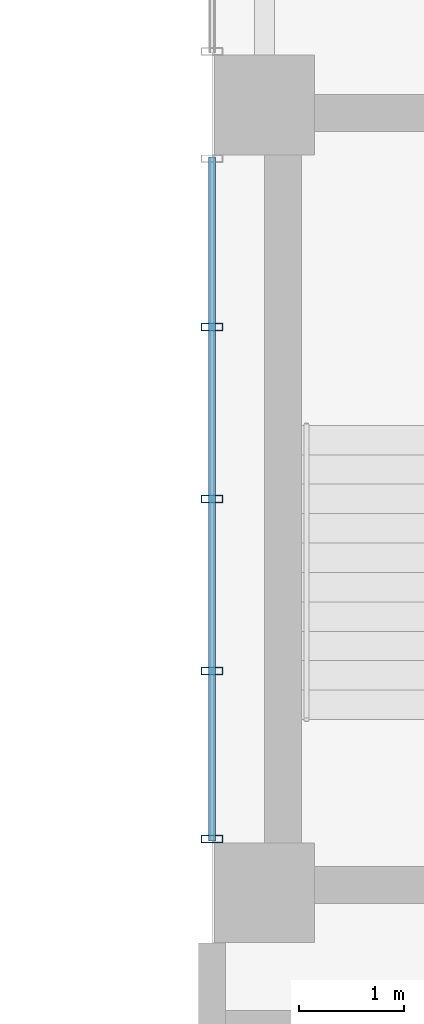
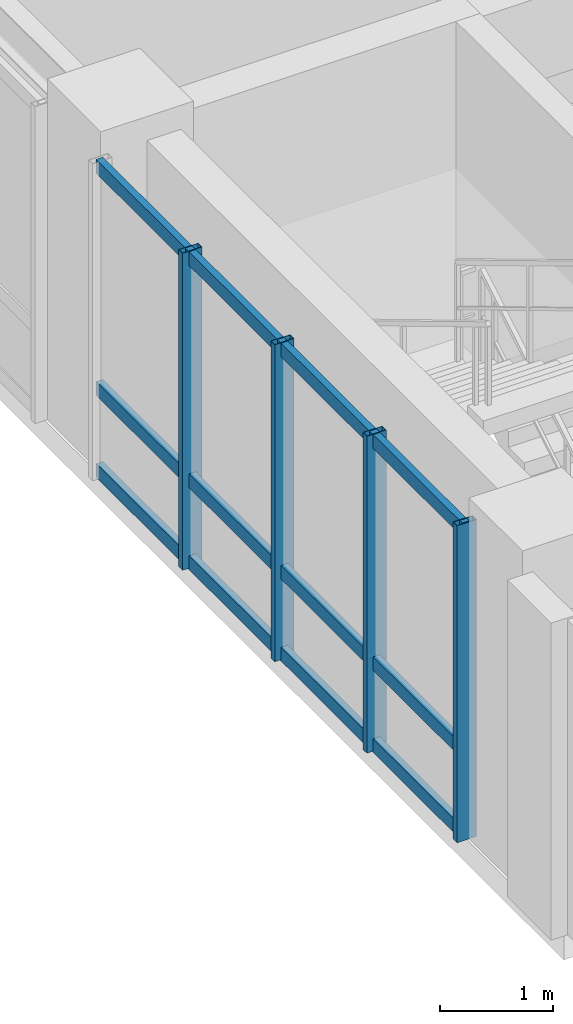
# One storey, part 4 of 24: 7 members, 1 element without a shape of its own.
"""IFC4 building model written with IfcOpenShell, lengths in metres."""

import ifcopenshell
import ifcopenshell.guid

model = None  # the IFC model being written
_history = None  # IfcOwnerHistory: only IFC2X3 demands one
_inside = {}  # id of a spatial element -> (the spatial element, [elements in it])
_under = {}  # id of a project, library or spatial element -> (it, [spatial elements below it])
_declared = {}  # id of a project -> (the project, [libraries it declares])
_typed = {}  # id of a type object -> (the type object, [elements of that type])
_made_of = {}  # id of a material, layer set ... -> (it, [elements and type objects made of it])


def new_model(schema):
    """Start an empty IFC model of exactly this schema.

    Asked for "IFC4X3", IfcOpenShell would pick the latest addendum, in which some entities
    have other attributes; the version numbers below select the first issue.
    IFC2X3 requires an IfcOwnerHistory on every rooted entity: one is made here for all.
    """
    global model, _history
    if schema == "IFC4X3":
        model = ifcopenshell.file(schema_version=(4, 3, 0, 0))
    else:
        model = ifcopenshell.file(schema=schema)
    _inside.clear()
    _under.clear()
    _declared.clear()
    _typed.clear()
    _made_of.clear()
    _history = None
    if model.schema == "IFC2X3":
        org = make("IfcOrganization", Name="unknown")
        user = make(
            "IfcPersonAndOrganization",
            ThePerson=make("IfcPerson", FamilyName="unknown"),
            TheOrganization=org,
        )
        app = make(
            "IfcApplication",
            ApplicationDeveloper=org,
            Version="unknown",
            ApplicationFullName="unknown",
            ApplicationIdentifier="unknown",
        )
        _history = make(
            "IfcOwnerHistory",
            OwningUser=user,
            OwningApplication=app,
            ChangeAction="ADDED",
            CreationDate=0,
        )
    return model


def make(cls, **values):
    """One entity of the class cls with the attributes given. An attribute that is None is left unset."""
    return model.create_entity(
        cls, **{name: value for name, value in values.items() if value is not None}
    )


def rooted(cls, **values):
    """An entity with a GlobalId (a new one), such as an element, a storey or a relation."""
    return make(cls, GlobalId=ifcopenshell.guid.new(), OwnerHistory=_history, **values)


def si_unit(unit_type, name, prefix=None):
    """IfcSIUnit, for example si_unit("LENGTHUNIT", "METRE", prefix="MILLI")."""
    return make("IfcSIUnit", UnitType=unit_type, Prefix=prefix, Name=name)


def assignment(units):
    """IfcUnitAssignment: the units of a project."""
    return None if units is None else make("IfcUnitAssignment", Units=units)


def point(xyz):
    """IfcCartesianPoint."""
    return None if xyz is None else make("IfcCartesianPoint", Coordinates=xyz)


def direction(xyz):
    """IfcDirection."""
    return None if xyz is None else make("IfcDirection", DirectionRatios=xyz)


def frame(location, z_axis=None, x_axis=None):
    """IfcAxis2Placement3D, a coordinate frame: its origin and axes. An axis left out is left unset."""
    return make(
        "IfcAxis2Placement3D",
        Location=point(location),
        Axis=direction(z_axis),
        RefDirection=direction(x_axis),
    )


def frame_2d(location, x_axis=None):
    """IfcAxis2Placement2D, a coordinate frame in the plane: its origin and x axis."""
    return make(
        "IfcAxis2Placement2D", Location=point(location), RefDirection=direction(x_axis)
    )


def origin():
    """The frame at (0, 0, 0) with its axes left unset."""
    return frame((0.0, 0.0, 0.0))


def origin_2d():
    """The frame at (0, 0) in the plane with its x axis left unset."""
    return frame_2d((0.0, 0.0))


def place(relative_to, where):
    """IfcLocalPlacement: puts the frame where relative to a parent placement (None: the world)."""
    return make(
        "IfcLocalPlacement", PlacementRelTo=relative_to, RelativePlacement=where
    )


def context(
    kind, dimensions, precision=None, world=None, true_north=None, identifier=None
):
    """IfcGeometricRepresentationContext, for example the 3D "Model" context."""
    return make(
        "IfcGeometricRepresentationContext",
        ContextIdentifier=identifier,
        ContextType=kind,
        CoordinateSpaceDimension=dimensions,
        Precision=precision,
        WorldCoordinateSystem=world,
        TrueNorth=true_north,
    )


def subcontext(parent, identifier, kind, view, scale=None):
    """IfcGeometricRepresentationSubContext, for example "Body" below "Model"."""
    return make(
        "IfcGeometricRepresentationSubContext",
        ContextIdentifier=identifier,
        ContextType=kind,
        ParentContext=parent,
        TargetScale=scale,
        TargetView=view,
    )


def project(units=None, contexts=None):
    """IfcProject with its units and contexts."""
    return rooted(
        "IfcProject",
        Name="project",
        RepresentationContexts=contexts,
        UnitsInContext=assignment(units),
    )


def spatial(cls, under=None, at=None, **own):
    """A site, building, storey or space (cls), placed at a placement, below another one or the project."""
    s = rooted(cls, ObjectPlacement=at, **own)
    if under is not None:
        _under.setdefault(under.id(), (under, []))[1].append(s)
    return s


def profile(cls, at=None, kind="AREA", **sizes):
    """A parametric profile (cls). Its sizes go by their IFC names, for example OverallWidth=200.0."""
    return make(cls, ProfileType=kind, Position=at, **sizes)


def hollow_rectangle(**sizes):
    """IfcRectangleHollowProfileDef."""
    return profile("IfcRectangleHollowProfileDef", **sizes)


def extrude(swept, where, along, depth):
    """IfcExtrudedAreaSolid: the profile swept, set in the frame where, extruded along a direction by depth."""
    return make(
        "IfcExtrudedAreaSolid",
        SweptArea=swept,
        Position=where,
        ExtrudedDirection=direction(along),
        Depth=depth,
    )


def shape(context_of_items, identifier, shape_type, items):
    """IfcShapeRepresentation: the items that make up one representation, for example the "Body"."""
    return make(
        "IfcShapeRepresentation",
        ContextOfItems=context_of_items,
        RepresentationIdentifier=identifier,
        RepresentationType=shape_type,
        Items=items,
    )


def source(mapping_origin, context_of_items, identifier, shape_type, items):
    """IfcRepresentationMap: a shape defined once, which mapped items show again and again."""
    return make(
        "IfcRepresentationMap",
        MappingOrigin=mapping_origin,
        MappedRepresentation=shape(context_of_items, identifier, shape_type, items),
    )


def transform(
    local_origin,
    x_axis=None,
    y_axis=None,
    z_axis=None,
    scale=None,
    scale2=None,
    scale3=None,
    uniform=True,
):
    """IfcCartesianTransformationOperator3D, or its non-uniform kind. x_axis, y_axis, z_axis: its Axis1, 2, 3."""
    if uniform:
        return make(
            "IfcCartesianTransformationOperator3D",
            Axis1=direction(x_axis),
            Axis2=direction(y_axis),
            LocalOrigin=point(local_origin),
            Scale=scale,
            Axis3=direction(z_axis),
        )
    return make(
        "IfcCartesianTransformationOperator3DnonUniform",
        Axis1=direction(x_axis),
        Axis2=direction(y_axis),
        LocalOrigin=point(local_origin),
        Scale=scale,
        Axis3=direction(z_axis),
        Scale2=scale2,
        Scale3=scale3,
    )


def mapped(mapping_source, mapping_target):
    """IfcMappedItem: shows the shape of a source again, moved by a transform."""
    return make(
        "IfcMappedItem", MappingSource=mapping_source, MappingTarget=mapping_target
    )


def material(Name=None, Category=None):
    """IfcMaterial."""
    return make("IfcMaterial", Name=Name, Category=Category)


def layer(
    of_material, thickness, ventilated=None, Name=None, Category=None, Priority=None
):
    """IfcMaterialLayer: one layer of a wall or slab, of a material (None: an air gap)."""
    return make(
        "IfcMaterialLayer",
        Material=of_material,
        LayerThickness=thickness,
        IsVentilated=ventilated,
        Name=Name,
        Category=Category,
        Priority=Priority,
    )


def layer_set(layers, Name=None):
    """IfcMaterialLayerSet."""
    return make("IfcMaterialLayerSet", MaterialLayers=layers, LayerSetName=Name)


def material_profile(
    of_material, cross_section, Name=None, Category=None, Priority=None
):
    """IfcMaterialProfile: a cross section and its material."""
    return make(
        "IfcMaterialProfile",
        Name=Name,
        Material=of_material,
        Profile=cross_section,
        Priority=Priority,
        Category=Category,
    )


def profile_set(profiles, Name=None, composite=None):
    """IfcMaterialProfileSet."""
    return make(
        "IfcMaterialProfileSet",
        Name=Name,
        MaterialProfiles=profiles,
        CompositeProfile=composite,
    )


def made_of(thing, what):
    """Note that an element or type object is made of a material, layer set ...; save() writes the relation."""
    if what is not None:
        _made_of.setdefault(what.id(), (what, []))[1].append(thing)
    return thing


def type_object(cls, material=None, **own):
    """A type object (cls), such as IfcWallType, which elements share."""
    return made_of(rooted(cls, **own), material)


def element(
    cls,
    number,
    at=None,
    inside=None,
    cuts=None,
    type_object=None,
    material=None,
    context=None,
    identifier="Body",
    shape_type=None,
    held_by="IfcProductDefinitionShape",
    body=None,
    shapes=None,
    **own,
):
    """One element of the class cls, such as IfcWall. Its Tag is "e" and its number.

    at: its placement. inside: the storey or other place that contains it. cuts: it is an
    opening in that element (IfcRelVoidsElement). A single representation is given by context,
    identifier, shape_type and body (its items); several are given by shapes. held_by: the class
    of the entity that holds the representations. save() writes the other relations.
    """
    e = rooted(cls, Tag="e%d" % number, ObjectPlacement=at, **own)
    if body is not None:
        shapes = [shape(context, identifier, shape_type, body)]
    if shapes is not None:
        e.Representation = make(held_by, Representations=shapes)
    if inside is not None:
        _inside.setdefault(inside.id(), (inside, []))[1].append(e)
    if cuts is not None:
        rooted(
            "IfcRelVoidsElement", RelatingBuildingElement=cuts, RelatedOpeningElement=e
        )
    if type_object is not None:
        _typed.setdefault(type_object.id(), (type_object, []))[1].append(e)
    return made_of(e, material)


def aggregate(whole, parts):
    """IfcRelAggregates: a whole, such as a stair, and the parts it consists of."""
    return rooted("IfcRelAggregates", RelatingObject=whole, RelatedObjects=parts)


def save(model, path):
    """Write the relations noted so far, then the file.

    IfcRelAggregates (storeys below a building ...), IfcRelContainedInSpatialStructure (elements
    in a storey), IfcRelDefinesByType, IfcRelAssociatesMaterial and IfcRelDeclares: one each for
    every whole, place, type object, material and project.
    """
    for whole, parts in _under.values():
        aggregate(whole, parts)
    for where, things in _inside.values():
        rooted(
            "IfcRelContainedInSpatialStructure",
            RelatedElements=things,
            RelatingStructure=where,
        )
    for kind, things in _typed.values():
        rooted("IfcRelDefinesByType", RelatedObjects=things, RelatingType=kind)
    for what, things in _made_of.values():
        rooted("IfcRelAssociatesMaterial", RelatedObjects=things, RelatingMaterial=what)
    for by, libraries in _declared.values():
        rooted("IfcRelDeclares", RelatingContext=by, RelatedDefinitions=libraries)
    model.write(path)


model = new_model("IFC4")

# Units and contexts
model_context = context("Model", 3, precision=1e-05, world=origin(), true_north=direction((0.0, 1.0)))
body_context = subcontext(model_context, "Body", "Model", "MODEL_VIEW")
ifc_project = project(units=[si_unit("LENGTHUNIT", "METRE"), si_unit("AREAUNIT", "SQUARE_METRE"), si_unit("VOLUMEUNIT", "CUBIC_METRE"), si_unit("PLANEANGLEUNIT", "RADIAN"), si_unit("MASSUNIT", "GRAM", prefix="KILO")], contexts=[model_context])

# Site, building, storey
site_placement = place(None, origin())
site = spatial("IfcSite", under=ifc_project, at=site_placement, CompositionType="ELEMENT")
building_placement = place(site_placement, origin())
building = spatial("IfcBuilding", under=site, at=building_placement, Name="Kaliganga Portal Commons", CompositionType="ELEMENT")
storey_placement = place(building_placement, frame((0.0, 0.0, 238.800048828125)))
storey = spatial("IfcBuildingStorey", under=building, at=storey_placement, Name="L61", CompositionType="ELEMENT", Elevation=238.800048828125)

# Curtain wall, members
ifc_material_1 = material(Name="Anodized Aluminium and Laminated Low-E Glass", Category="aluminium")
ifc_layer = layer(ifc_material_1, 0.239990234375)
ifc_layer_set = layer_set([ifc_layer], Name="Anodized Aluminium and Laminated Low-E Glass")
curtain_wall_type = type_object("IfcCurtainWallType", Name="CW-SYS-04", PredefinedType="NOTDEFINED", material=ifc_layer_set)
curtain_wall_placement = place(storey_placement, origin())
curtain_wall = element("IfcCurtainWall", 1, at=curtain_wall_placement, inside=storey, type_object=curtain_wall_type, Name="CW 04 L61 P2E05S2", PredefinedType="NOTDEFINED")
ifc_material_2 = material(Name="Dark Bronze Anodized Aluminium", Category="aluminium")
ifc_material_profile_1 = material_profile(ifc_material_2, hollow_rectangle(XDim=0.070068359375, YDim=0.199951171875, WallThickness=0.00390625, at=origin_2d()), Name="ALU MULL 70x200x4")
ifc_profile_set_1 = profile_set([ifc_material_profile_1], Name="Dark Bronze Anodized Aluminium")
member_type_1 = type_object("IfcMemberType", Name="CW-MUL-220", PredefinedType="MULLION", material=ifc_profile_set_1)
shared_shape_1 = source(origin(), body_context, "Body", "SweptSolid", [
    extrude(hollow_rectangle(XDim=0.070068359375, YDim=0.199951171875, WallThickness=0.00390625, at=origin_2d()), origin(), (0.0, 0.0, 1.0), 3.43994140625),
])
member_1_placement = place(storey_placement, frame((35.5, 12.43701171875, 0.0), z_axis=(0.0, 0.0, 1.0), x_axis=(0.0, -1.0, 0.0)))
member_1 = element("IfcMember", 2, at=member_1_placement, type_object=member_type_1, Name="CW:04:L61:P2E05S2 Mullion 01", PredefinedType="MULLION", context=body_context, shape_type="MappedRepresentation", body=[
    mapped(shared_shape_1, transform((0.0, 0.0, 0.0), x_axis=(1.0, 0.0, 0.0), y_axis=(0.0, 1.0, 0.0), z_axis=(0.0, 0.0, 1.0), scale=1.0)),
])
member_2_placement = place(storey_placement, frame((35.5, 10.800048828125, 0.0), z_axis=(0.0, 0.0, 1.0), x_axis=(0.0, -1.0, 0.0)))
member_2 = element("IfcMember", 3, at=member_2_placement, type_object=member_type_1, Name="CW:04:L61:P2E05S2 Mullion 02", PredefinedType="MULLION", context=body_context, shape_type="MappedRepresentation", body=[
    mapped(shared_shape_1, transform((0.0, 0.0, 0.0), x_axis=(1.0, 0.0, 0.0), y_axis=(0.0, 1.0, 0.0), z_axis=(0.0, 0.0, 1.0), scale=1.0)),
])
member_3_placement = place(storey_placement, frame((35.5, 9.1630859375, 0.0), z_axis=(0.0, 0.0, 1.0), x_axis=(0.0, -1.0, 0.0)))
member_3 = element("IfcMember", 4, at=member_3_placement, type_object=member_type_1, Name="CW:04:L61:P2E05S2 Mullion 03", PredefinedType="MULLION", context=body_context, shape_type="MappedRepresentation", body=[
    mapped(shared_shape_1, transform((0.0, 0.0, 0.0), x_axis=(1.0, 0.0, 0.0), y_axis=(0.0, 1.0, 0.0), z_axis=(0.0, 0.0, 1.0), scale=1.0)),
])
member_4_placement = place(storey_placement, frame((35.5, 7.56103515625, 0.0), z_axis=(0.0, 0.0, 1.0), x_axis=(0.0, -1.0, 0.0)))
member_4 = element("IfcMember", 5, at=member_4_placement, type_object=member_type_1, Name="CW:04:L61:P2E05S2 Mullion 04", PredefinedType="MULLION", context=body_context, shape_type="MappedRepresentation", body=[
    mapped(shared_shape_1, transform((0.0, 0.0, 0.0), x_axis=(1.0, 0.0, 0.0), y_axis=(0.0, 1.0, 0.0), z_axis=(0.0, 0.0, 1.0), scale=1.0)),
])
ifc_material_profile_2 = material_profile(ifc_material_2, hollow_rectangle(XDim=0.070068359375, YDim=0.14990234375, WallThickness=0.00341796875, at=origin_2d()), Name="ALU TRAN 70x150x3.5")
ifc_profile_set_2 = profile_set([ifc_material_profile_2], Name="Dark Bronze Anodized Aluminium")
member_type_2 = type_object("IfcMemberType", Name="CW-TRN-150", PredefinedType="USERDEFINED", material=ifc_profile_set_2)
shared_shape_2 = source(origin(), body_context, "Body", "SweptSolid", [
    extrude(hollow_rectangle(XDim=0.070068359375, YDim=0.14990234375, WallThickness=0.00341796875, at=origin_2d()), origin(), (0.0, 0.0, 1.0), 6.508056640625),
])
member_5_placement = place(storey_placement, frame((35.5, 14.053955078125, 0.06005859375), z_axis=(0.0, -1.0, 0.0), x_axis=(1.0, 0.0, 0.0)))
member_5 = element("IfcMember", 6, at=member_5_placement, type_object=member_type_2, Name="CW:04:L61:P2E05S2 Transom 1", ObjectType="TRANSOM", PredefinedType="USERDEFINED", context=body_context, shape_type="MappedRepresentation", body=[
    mapped(shared_shape_2, transform((0.0, 0.0, 0.0), x_axis=(1.0, 0.0, 0.0), y_axis=(0.0, 1.0, 0.0), z_axis=(0.0, 0.0, 1.0), scale=1.0)),
])
member_6_placement = place(storey_placement, frame((35.5, 14.053955078125, 0.949951171875), z_axis=(0.0, -1.0, 0.0), x_axis=(1.0, 0.0, 0.0)))
member_6 = element("IfcMember", 7, at=member_6_placement, type_object=member_type_2, Name="CW:04:L61:P2E05S2 Transom 2", ObjectType="TRANSOM", PredefinedType="USERDEFINED", context=body_context, shape_type="MappedRepresentation", body=[
    mapped(shared_shape_2, transform((0.0, 0.0, 0.0), x_axis=(1.0, 0.0, 0.0), y_axis=(0.0, 1.0, 0.0), z_axis=(0.0, 0.0, 1.0), scale=1.0)),
])
member_7_placement = place(storey_placement, frame((35.5, 14.053955078125, 3.35986328125), z_axis=(0.0, -1.0, 0.0), x_axis=(1.0, 0.0, 0.0)))
member_7 = element("IfcMember", 8, at=member_7_placement, type_object=member_type_2, Name="CW:04:L61:P2E05S2 Transom 3", ObjectType="TRANSOM", PredefinedType="USERDEFINED", context=body_context, shape_type="MappedRepresentation", body=[
    mapped(shared_shape_2, transform((0.0, 0.0, 0.0), x_axis=(1.0, 0.0, 0.0), y_axis=(0.0, 1.0, 0.0), z_axis=(0.0, 0.0, 1.0), scale=1.0)),
])
aggregate(curtain_wall, [member_1, member_2, member_3, member_4, member_5, member_6, member_7])

save(model, "model.ifc")
